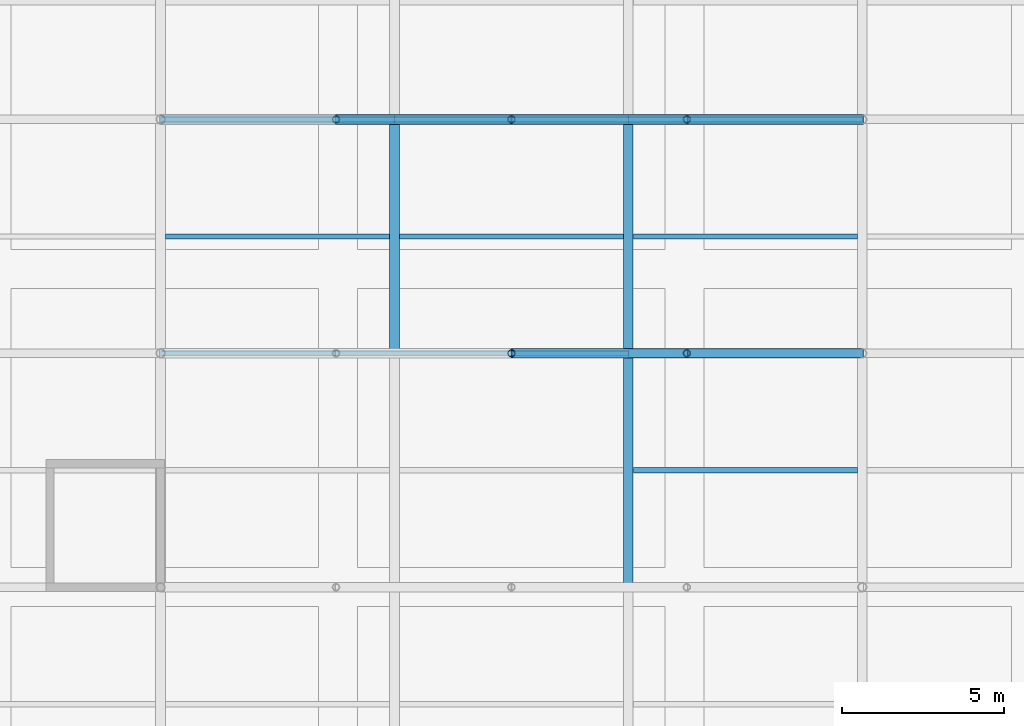
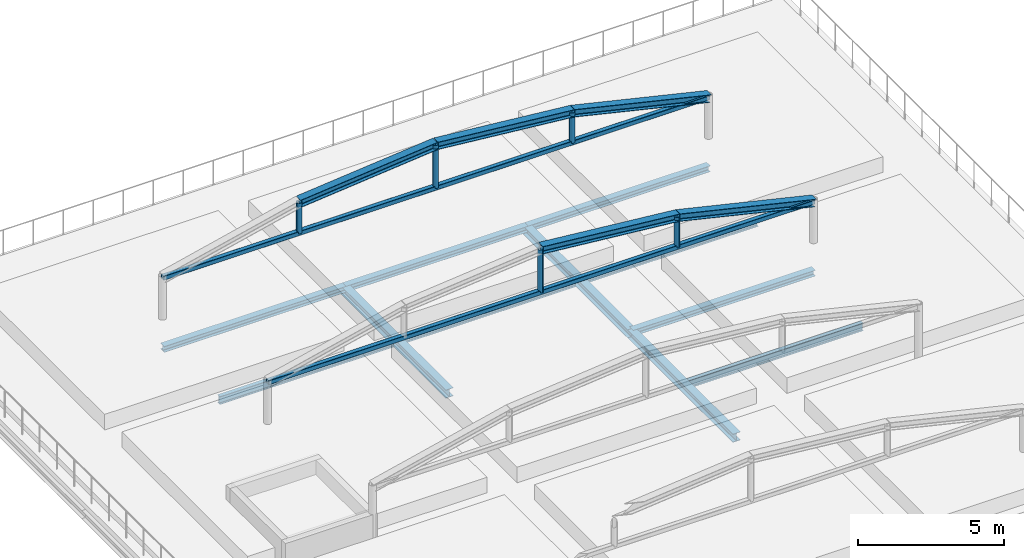
# One storey, part 67 of 126: 12 members, 11 beams.
"""IFC4 building model written with IfcOpenShell, lengths in metres."""

from ifc_helpers import new_model, si_unit, direction, frame, origin, origin_2d, place, context, subcontext, project, spatial, hollow_rectangle, hollow_circle, i_section, extrude, material, material_profile, profile_set, type_object, element, save


model = new_model("IFC4")

# Units and contexts
model_context = context("Model", 3, precision=1e-05, world=origin(), true_north=direction((0.0, 1.0)))
body_context = subcontext(model_context, "Body", "Model", "MODEL_VIEW")
ifc_project = project(units=[si_unit("LENGTHUNIT", "METRE"), si_unit("AREAUNIT", "SQUARE_METRE"), si_unit("VOLUMEUNIT", "CUBIC_METRE"), si_unit("PLANEANGLEUNIT", "RADIAN"), si_unit("MASSUNIT", "GRAM", prefix="KILO")], contexts=[model_context])

# Site, building, storey
site_placement = place(None, origin())
site = spatial("IfcSite", under=ifc_project, at=site_placement, CompositionType="ELEMENT")
building_placement = place(site_placement, origin())
building = spatial("IfcBuilding", under=site, at=building_placement, Name="Zlatovets Crest Museum", CompositionType="ELEMENT")
storey_placement = place(building_placement, frame((0.0, 0.0, 8.699951171875)))
storey = spatial("IfcBuildingStorey", under=building, at=storey_placement, Name="L02", CompositionType="ELEMENT", Elevation=8.699951171875)

# Beams
ifc_material = material(Name="Structural steel S355J2", Category="steel")
ifc_material_profile_1 = material_profile(ifc_material, i_section(OverallWidth=0.300048828125, OverallDepth=0.35009765625, WebThickness=0.010009765625, FlangeThickness=0.017578125, FilletRadius=0.027099609375, at=origin_2d()), Name="HEA 360")
ifc_profile_set_1 = profile_set([ifc_material_profile_1], Name="Structural steel S355J2")
beam_type_1 = type_object("IfcBeamType", Name="Beam_B-03", PredefinedType="BEAM", material=ifc_profile_set_1)
beam_1_placement = place(storey_placement, frame((144.0, 86.39990234375, -0.39501953125), z_axis=(0.0, 1.0, 0.0), x_axis=(-1.0, 0.0, 0.0)))
element("IfcBeam", 1, at=beam_1_placement, inside=storey, type_object=beam_type_1, Name="V5 L02 Grid Beam B-03", PredefinedType="BEAM", context=body_context, shape_type="SweptSolid", body=[
    extrude(i_section(OverallWidth=0.300048828125, OverallDepth=0.35009765625, WebThickness=0.010009765625, FlangeThickness=0.017578125, FilletRadius=0.027099609375, at=origin_2d()), origin(), (0.0, 0.0, 1.0), 7.2001953125),
])
beam_2_placement = place(storey_placement, frame((151.199951171875, 79.199951171875, -0.39501953125), z_axis=(0.0, 1.0, 0.0), x_axis=(-1.0, 0.0, 0.0)))
element("IfcBeam", 2, at=beam_2_placement, inside=storey, type_object=beam_type_1, Name="V5 L02 Grid Beam B-03", PredefinedType="BEAM", context=body_context, shape_type="SweptSolid", body=[
    extrude(i_section(OverallWidth=0.300048828125, OverallDepth=0.35009765625, WebThickness=0.010009765625, FlangeThickness=0.017578125, FilletRadius=0.027099609375, at=origin_2d()), origin(), (0.0, 0.0, 1.0), 7.199951171875),
])
beam_3_placement = place(storey_placement, frame((151.199951171875, 86.39990234375, -0.39501953125), z_axis=(0.0, 1.0, 0.0), x_axis=(-1.0, 0.0, 0.0)))
element("IfcBeam", 3, at=beam_3_placement, inside=storey, type_object=beam_type_1, Name="V5 L02 Grid Beam B-03", PredefinedType="BEAM", context=body_context, shape_type="SweptSolid", body=[
    extrude(i_section(OverallWidth=0.300048828125, OverallDepth=0.35009765625, WebThickness=0.010009765625, FlangeThickness=0.017578125, FilletRadius=0.027099609375, at=origin_2d()), origin(), (0.0, 0.0, 1.0), 7.2001953125),
])
ifc_material_profile_2 = material_profile(ifc_material, i_section(OverallWidth=0.260009765625, OverallDepth=0.25, WebThickness=0.007568359375, FlangeThickness=0.012451171875, FilletRadius=0.02392578125, at=origin_2d()), Name="HEA 260")
ifc_profile_set_2 = profile_set([ifc_material_profile_2], Name="Structural steel S355J2")
beam_type_2 = type_object("IfcBeamType", Name="Beam_B-13", PredefinedType="BEAM", material=ifc_profile_set_2)
for number, where, z_axis, x_axis, name in (
    (4, (151.199951171875, 86.39990234375, -0.344970703125), (1.0, 0.0, 0.0), (0.0, 1.0, 0.0), "V5 L02 Primary Girder B-13"),
    (5, (136.800048828125, 93.60009765625, -0.344970703125), (1.0, 0.0, 0.0), (0.0, 1.0, 0.0), "V5 L02 Primary Girder B-13"),
    (6, (144.0, 93.60009765625, -0.344970703125), (1.0, 0.0, 0.0), (0.0, 1.0, 0.0), "V5 L02 Primary Girder B-13"),
    (7, (151.199951171875, 93.60009765625, -0.344970703125), (1.0, 0.0, 0.0), (0.0, 1.0, 0.0), "V5 L02 Primary Girder B-13"),
):
    element("IfcBeam", number, at=place(storey_placement, frame(where, z_axis=z_axis, x_axis=x_axis)), inside=storey, type_object=beam_type_2, Name=name, PredefinedType="BEAM", context=body_context, shape_type="SweptSolid", body=[
        extrude(i_section(OverallWidth=0.260009765625, OverallDepth=0.25, WebThickness=0.007568359375, FlangeThickness=0.012451171875, FilletRadius=0.02392578125, at=origin_2d()), origin(), (0.0, 0.0, 1.0), 7.199951171875),
    ])
ifc_material_profile_3 = material_profile(ifc_material, i_section(OverallWidth=0.159912109375, OverallDepth=0.330078125, WebThickness=0.007568359375, FlangeThickness=0.011474609375, FilletRadius=0.01806640625, at=origin_2d()), Name="IPE 330")
ifc_profile_set_3 = profile_set([ifc_material_profile_3], Name="Structural steel S355J2")
beam_type_3 = type_object("IfcBeamType", Name="Beam_J-09", PredefinedType="JOIST", material=ifc_profile_set_3)
for number, where, z_axis, x_axis, name in (
    (8, (136.949951171875, 90.0, -0.385009765625), (1.0, 0.0, 0.0), (0.0, 1.0, 0.0), "V5 L02 Composite Joist J-09"),
    (9, (144.14990234375, 90.0, -0.385009765625), (1.0, 0.0, 0.0), (0.0, 1.0, 0.0), "V5 L02 Composite Joist J-09"),
):
    element("IfcBeam", number, at=place(storey_placement, frame(where, z_axis=z_axis, x_axis=x_axis)), inside=storey, type_object=beam_type_3, Name=name, PredefinedType="JOIST", context=body_context, shape_type="SweptSolid", body=[
        extrude(i_section(OverallWidth=0.159912109375, OverallDepth=0.330078125, WebThickness=0.007568359375, FlangeThickness=0.011474609375, FilletRadius=0.01806640625, at=origin_2d()), origin(), (0.0, 0.0, 1.0), 6.900146484375),
    ])
for number, where, z_axis, x_axis, name in (
    (10, (151.35009765625, 82.800048828125, -0.385009765625), (1.0, 0.0, 0.0), (0.0, 1.0, 0.0), "V5 L02 Composite Joist J-09"),
    (11, (151.35009765625, 90.0, -0.385009765625), (1.0, 0.0, 0.0), (0.0, 1.0, 0.0), "V5 L02 Composite Joist J-09"),
):
    element("IfcBeam", number, at=place(storey_placement, frame(where, z_axis=z_axis, x_axis=x_axis)), inside=storey, type_object=beam_type_3, Name=name, PredefinedType="JOIST", context=body_context, shape_type="SweptSolid", body=[
        extrude(i_section(OverallWidth=0.159912109375, OverallDepth=0.330078125, WebThickness=0.007568359375, FlangeThickness=0.011474609375, FilletRadius=0.01806640625, at=origin_2d()), origin(), (0.0, 0.0, 1.0), 6.89990234375),
    ])

# Members
ifc_material_profile_4 = material_profile(ifc_material, i_section(OverallWidth=0.300048828125, OverallDepth=0.31005859375, WebThickness=0.009033203125, FlangeThickness=0.015380859375, FilletRadius=0.027099609375, at=origin_2d()), Name="HEA 320")
ifc_profile_set_4 = profile_set([ifc_material_profile_4], Name="Structural steel S355J2")
member_type_1 = type_object("IfcMemberType", Name="Member_TM-02", PredefinedType="RAFTER", material=ifc_profile_set_4)
member_1_placement = place(storey_placement, frame((147.60009765625, 86.39990234375, 4.400146484375), z_axis=(0.995265295628, 0.0, -0.09719563426), x_axis=(0.0, 1.0, 0.0)))
element("IfcMember", 12, at=member_1_placement, inside=storey, type_object=member_type_1, Name="Art Nouveau Botanical Pergola Arch", PredefinedType="RAFTER", context=body_context, shape_type="SweptSolid", body=[
    extrude(i_section(OverallWidth=0.300048828125, OverallDepth=0.31005859375, WebThickness=0.009033203125, FlangeThickness=0.015380859375, FilletRadius=0.027099609375, at=origin_2d()), origin(), (0.0, 0.0, 1.0), 5.425537109375),
])
member_2_placement = place(storey_placement, frame((153.0, 86.39990234375, 3.872802734375), z_axis=(0.973331107108, 0.0, -0.229404786208), x_axis=(0.0, 1.0, 0.0)))
element("IfcMember", 13, at=member_2_placement, inside=storey, type_object=member_type_1, Name="Art Nouveau Botanical Pergola Arch", PredefinedType="RAFTER", context=body_context, shape_type="SweptSolid", body=[
    extrude(i_section(OverallWidth=0.300048828125, OverallDepth=0.31005859375, WebThickness=0.009033203125, FlangeThickness=0.015380859375, FilletRadius=0.027099609375, at=origin_2d()), origin(), (0.0, 0.0, 1.0), 5.5478515625),
])
member_3_placement = place(storey_placement, frame((142.199951171875, 93.60009765625, 3.872802734375), z_axis=(0.995265720695, 0.0, 0.097191281554), x_axis=(0.0, 1.0, 0.0)))
element("IfcMember", 14, at=member_3_placement, inside=storey, type_object=member_type_1, Name="Art Nouveau Botanical Pergola Arch", PredefinedType="RAFTER", context=body_context, shape_type="SweptSolid", body=[
    extrude(i_section(OverallWidth=0.300048828125, OverallDepth=0.31005859375, WebThickness=0.009033203125, FlangeThickness=0.015380859375, FilletRadius=0.027099609375, at=origin_2d()), origin(), (0.0, 0.0, 1.0), 5.42578125),
])
member_4_placement = place(storey_placement, frame((147.60009765625, 93.60009765625, 4.400146484375), z_axis=(0.995265295628, 0.0, -0.09719563426), x_axis=(0.0, 1.0, 0.0)))
element("IfcMember", 15, at=member_4_placement, inside=storey, type_object=member_type_1, Name="Art Nouveau Botanical Pergola Arch", PredefinedType="RAFTER", context=body_context, shape_type="SweptSolid", body=[
    extrude(i_section(OverallWidth=0.300048828125, OverallDepth=0.31005859375, WebThickness=0.009033203125, FlangeThickness=0.015380859375, FilletRadius=0.027099609375, at=origin_2d()), origin(), (0.0, 0.0, 1.0), 5.425537109375),
])
member_5_placement = place(storey_placement, frame((153.0, 93.60009765625, 3.872802734375), z_axis=(0.973331107108, 0.0, -0.229404786208), x_axis=(0.0, 1.0, 0.0)))
element("IfcMember", 16, at=member_5_placement, inside=storey, type_object=member_type_1, Name="Art Nouveau Botanical Pergola Arch", PredefinedType="RAFTER", context=body_context, shape_type="SweptSolid", body=[
    extrude(i_section(OverallWidth=0.300048828125, OverallDepth=0.31005859375, WebThickness=0.009033203125, FlangeThickness=0.015380859375, FilletRadius=0.027099609375, at=origin_2d()), origin(), (0.0, 0.0, 1.0), 5.5478515625),
])
ifc_material_profile_5 = material_profile(ifc_material, hollow_rectangle(XDim=0.179931640625, YDim=0.179931640625, WallThickness=0.010009765625, InnerFilletRadius=0.010009765625, OuterFilletRadius=0.02001953125, at=origin_2d()), Name="SHS 180x180x10.0")
ifc_profile_set_5 = profile_set([ifc_material_profile_5], Name="Structural steel S355J2")
member_type_2 = type_object("IfcMemberType", Name="Member_TM-04", PredefinedType="STRUT", material=ifc_profile_set_5)
for number, where, z_axis, x_axis, name in (
    (17, (136.800048828125, 86.39990234375, 2.60009765625), (1.0, 0.0, 0.0), (0.0, 1.0, 0.0), "Botanical Roof-Garden Pergola Tie"),
    (18, (136.800048828125, 93.60009765625, 2.60009765625), (1.0, 0.0, 0.0), (0.0, 1.0, 0.0), "Botanical Roof-Garden Pergola Tie"),
):
    element("IfcMember", number, at=place(storey_placement, frame(where, z_axis=z_axis, x_axis=x_axis)), inside=storey, type_object=member_type_2, Name=name, PredefinedType="STRUT", context=body_context, shape_type="SweptSolid", body=[
        extrude(hollow_rectangle(XDim=0.179931640625, YDim=0.179931640625, WallThickness=0.010009765625, InnerFilletRadius=0.010009765625, OuterFilletRadius=0.02001953125, at=origin_2d()), origin(), (0.0, 0.0, 1.0), 21.599853515625),
    ])
ifc_material_profile_6 = material_profile(ifc_material, hollow_circle(Radius=0.109619140625, WallThickness=0.010009765625, at=origin_2d()), Name="CHS 219.1x10.0")
ifc_profile_set_6 = profile_set([ifc_material_profile_6], Name="Structural steel S355J2")
member_type_3 = type_object("IfcMemberType", Name="Member_TM-05", PredefinedType="BRACE", material=ifc_profile_set_6)
member_6_placement = place(storey_placement, frame((147.60009765625, 86.39990234375, 2.60009765625), z_axis=(0.0, 0.0, 1.0), x_axis=(1.0, 0.0, 0.0)))
element("IfcMember", 19, at=member_6_placement, inside=storey, type_object=member_type_3, Name="Art Nouveau Botanical Pergola Web", PredefinedType="BRACE", context=body_context, shape_type="SweptSolid", body=[
    extrude(hollow_circle(Radius=0.109619140625, WallThickness=0.010009765625, at=origin_2d()), origin(), (0.0, 0.0, 1.0), 1.800048828125),
])
for number, where, z_axis, x_axis, name in (
    (20, (153.0, 86.39990234375, 2.60009765625), (0.0, 0.0, 1.0), (1.0, 0.0, 0.0), "Art Nouveau Botanical Pergola Web"),
    (21, (142.199951171875, 93.60009765625, 2.60009765625), (0.0, 0.0, 1.0), (1.0, 0.0, 0.0), "Art Nouveau Botanical Pergola Web"),
):
    element("IfcMember", number, at=place(storey_placement, frame(where, z_axis=z_axis, x_axis=x_axis)), inside=storey, type_object=member_type_3, Name=name, PredefinedType="BRACE", context=body_context, shape_type="SweptSolid", body=[
        extrude(hollow_circle(Radius=0.109619140625, WallThickness=0.010009765625, at=origin_2d()), origin(), (0.0, 0.0, 1.0), 1.272705078125),
    ])
member_7_placement = place(storey_placement, frame((147.60009765625, 93.60009765625, 2.60009765625), z_axis=(0.0, 0.0, 1.0), x_axis=(1.0, 0.0, 0.0)))
element("IfcMember", 22, at=member_7_placement, inside=storey, type_object=member_type_3, Name="Art Nouveau Botanical Pergola Web", PredefinedType="BRACE", context=body_context, shape_type="SweptSolid", body=[
    extrude(hollow_circle(Radius=0.109619140625, WallThickness=0.010009765625, at=origin_2d()), origin(), (0.0, 0.0, 1.0), 1.800048828125),
])
member_8_placement = place(storey_placement, frame((153.0, 93.60009765625, 2.60009765625), z_axis=(0.0, 0.0, 1.0), x_axis=(1.0, 0.0, 0.0)))
element("IfcMember", 23, at=member_8_placement, inside=storey, type_object=member_type_3, Name="Art Nouveau Botanical Pergola Web", PredefinedType="BRACE", context=body_context, shape_type="SweptSolid", body=[
    extrude(hollow_circle(Radius=0.109619140625, WallThickness=0.010009765625, at=origin_2d()), origin(), (0.0, 0.0, 1.0), 1.272705078125),
])

save(model, "model.ifc")
